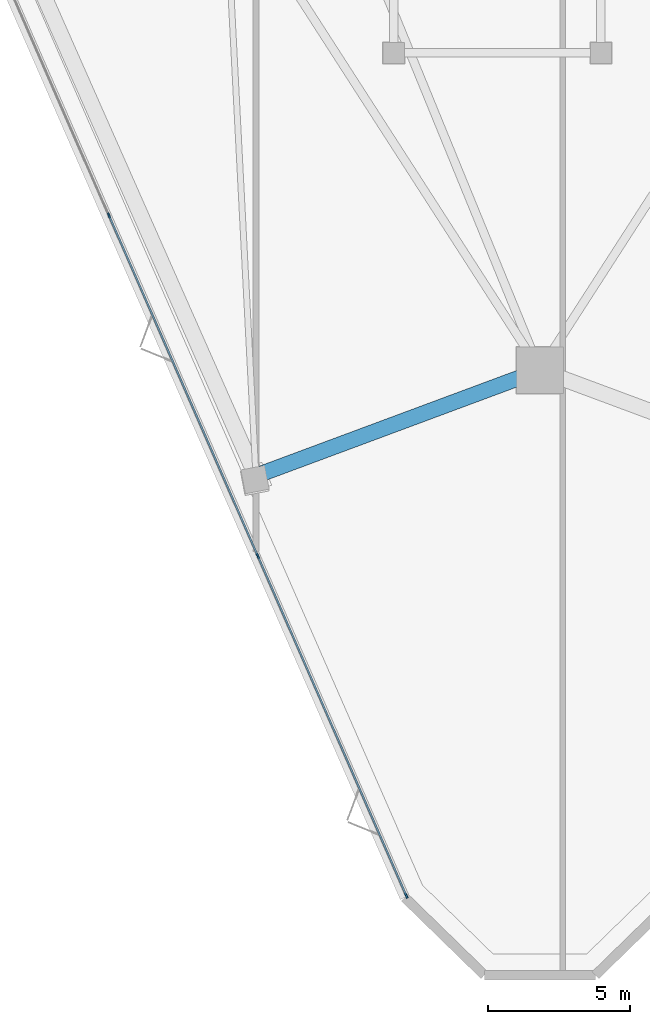
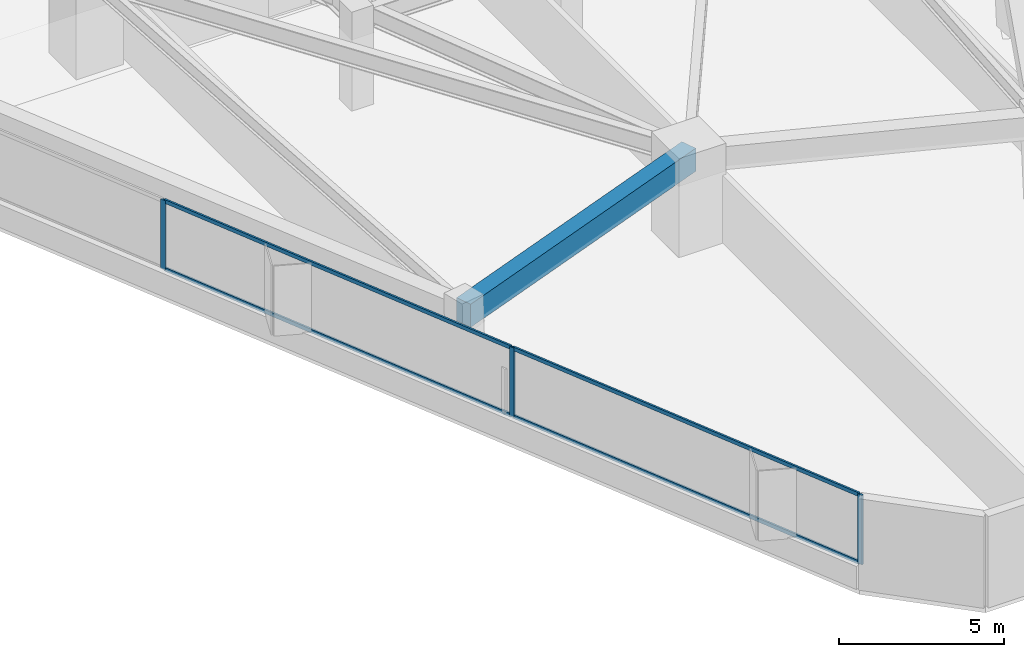
# One storey, part 2 of 18: 7 members, 1 beam, 1 element without a shape of its own.
"""IFC4 building model written with IfcOpenShell, lengths in metres."""

from ifc_helpers import new_model, si_unit, direction, frame, origin, origin_2d, place, context, subcontext, project, spatial, rectangle, extrude, material, layer, layer_set, material_profile, profile_set, type_object, element, aggregate, save


model = new_model("IFC4")

# Units and contexts
model_context = context("Model", 3, precision=1e-05, world=origin(), true_north=direction((0.0, 1.0)))
body_context = subcontext(model_context, "Body", "Model", "MODEL_VIEW")
ifc_project = project(units=[si_unit("LENGTHUNIT", "METRE"), si_unit("AREAUNIT", "SQUARE_METRE"), si_unit("VOLUMEUNIT", "CUBIC_METRE"), si_unit("PLANEANGLEUNIT", "RADIAN"), si_unit("MASSUNIT", "GRAM", prefix="KILO")], contexts=[model_context])

# Site, building, storey
site_placement = place(None, origin())
site = spatial("IfcSite", under=ifc_project, at=site_placement, CompositionType="ELEMENT")
building_placement = place(site_placement, origin())
building = spatial("IfcBuilding", under=site, at=building_placement, Name="Talyreon Biosciences Tower", CompositionType="ELEMENT")
storey_placement = place(building_placement, frame((0.0, 0.0, 89.60009765625)))
storey = spatial("IfcBuildingStorey", under=building, at=storey_placement, Name="L23", CompositionType="ELEMENT", Elevation=89.60009765625)

# Curtain wall, members
ifc_material_1 = material(Name="Thermally broken aluminium and low-E glazing", Category="aluminium")
ifc_layer = layer(ifc_material_1, 0.18994140625)
ifc_layer_set = layer_set([ifc_layer], Name="Thermally broken aluminium and low-E glazing")
curtain_wall_type = type_object("IfcCurtainWallType", Name="CurtainWall_Zone2Genomics", PredefinedType="NOTDEFINED", material=ifc_layer_set)
curtain_wall_placement = place(storey_placement, origin())
curtain_wall = element("IfcCurtainWall", 1, at=curtain_wall_placement, inside=storey, type_object=curtain_wall_type, Name="L23 Unitised Curtain Wall FCW-L23-00", PredefinedType="NOTDEFINED")
ifc_material_2 = material(Name="Anodised thermally broken aluminium", Category="aluminium")
ifc_material_profile_1 = material_profile(ifc_material_2, rectangle(XDim=0.06494140625, YDim=0.179931640625, at=origin_2d()), Name="ALUM MULLION 65x180")
ifc_profile_set_1 = profile_set([ifc_material_profile_1], Name="Anodised thermally broken aluminium")
member_type_1 = type_object("IfcMemberType", Name="CWMullion_65x180", PredefinedType="MULLION", material=ifc_profile_set_1)
member_1_placement = place(storey_placement, frame((61.295654296875, 23.1533203125, 0.809814453125), z_axis=(0.0, 0.0, 1.0), x_axis=(-0.916278218967, -0.400542414041, 0.0)))
member_1 = element("IfcMember", 2, at=member_1_placement, type_object=member_type_1, Name="CW3 mullion 1", PredefinedType="MULLION", context=body_context, shape_type="SweptSolid", body=[
    extrude(rectangle(XDim=0.06494140625, YDim=0.179931640625, at=origin_2d()), origin(), (0.0, 0.0, 1.0), 2.565185546875),
])
member_2_placement = place(storey_placement, frame((56.06494140625, 35.119384765625, 0.809814453125), z_axis=(0.0, 0.0, 1.0), x_axis=(-0.916278218967, -0.400542414041, 0.0)))
member_2 = element("IfcMember", 3, at=member_2_placement, type_object=member_type_1, Name="CW3 mullion 2", PredefinedType="MULLION", context=body_context, shape_type="SweptSolid", body=[
    extrude(rectangle(XDim=0.06494140625, YDim=0.179931640625, at=origin_2d()), origin(), (0.0, 0.0, 1.0), 2.565185546875),
])
member_3_placement = place(storey_placement, frame((50.821044921875, 47.115234375, 0.809814453125), z_axis=(0.0, 0.0, 1.0), x_axis=(-0.916278218967, -0.400542414041, 0.0)))
member_3 = element("IfcMember", 4, at=member_3_placement, type_object=member_type_1, Name="CW3 mullion 3", PredefinedType="MULLION", context=body_context, shape_type="SweptSolid", body=[
    extrude(rectangle(XDim=0.06494140625, YDim=0.179931640625, at=origin_2d()), origin(), (0.0, 0.0, 1.0), 2.565185546875),
])
ifc_material_profile_2 = material_profile(ifc_material_2, rectangle(XDim=0.06494140625, YDim=0.139892578125, at=origin_2d()), Name="ALUM TRANSOM 65x140")
ifc_profile_set_2 = profile_set([ifc_material_profile_2], Name="Anodised thermally broken aluminium")
member_type_2 = type_object("IfcMemberType", Name="CWTransom_65x140", PredefinedType="USERDEFINED", material=ifc_profile_set_2)
member_4_placement = place(storey_placement, frame((61.28271484375, 23.18310546875, 0.84228515625), z_axis=(-0.400543831876, 0.916277599173, 0.0), x_axis=(-0.916277599173, -0.400543831876, 0.0)))
member_4 = element("IfcMember", 5, at=member_4_placement, type_object=member_type_2, Name="CW3 transom 1.1", ObjectType="TRANSOM", PredefinedType="USERDEFINED", context=body_context, shape_type="SweptSolid", body=[
    extrude(rectangle(XDim=0.06494140625, YDim=0.139892578125, at=origin_2d()), origin(), (0.0, 0.0, 1.0), 12.994384765625),
])
member_5_placement = place(storey_placement, frame((61.28271484375, 23.18310546875, 3.34228515625), z_axis=(-0.400543831876, 0.916277599173, 0.0), x_axis=(-0.916277599173, -0.400543831876, 0.0)))
member_5 = element("IfcMember", 6, at=member_5_placement, type_object=member_type_2, Name="CW3 transom 1.2", ObjectType="TRANSOM", PredefinedType="USERDEFINED", context=body_context, shape_type="SweptSolid", body=[
    extrude(rectangle(XDim=0.06494140625, YDim=0.139892578125, at=origin_2d()), origin(), (0.0, 0.0, 1.0), 12.994384765625),
])
member_6_placement = place(storey_placement, frame((56.0517578125, 35.149169921875, 0.84228515625), z_axis=(-0.400538617789, 0.916279878454, 0.0), x_axis=(-0.916279878454, -0.400538617789, 0.0)))
member_6 = element("IfcMember", 7, at=member_6_placement, type_object=member_type_2, Name="CW3 transom 2.1", ObjectType="TRANSOM", PredefinedType="USERDEFINED", context=body_context, shape_type="SweptSolid", body=[
    extrude(rectangle(XDim=0.06494140625, YDim=0.139892578125, at=origin_2d()), origin(), (0.0, 0.0, 1.0), 13.02685546875),
])
member_7_placement = place(storey_placement, frame((56.0517578125, 35.149169921875, 3.34228515625), z_axis=(-0.400538617789, 0.916279878454, 0.0), x_axis=(-0.916279878454, -0.400538617789, 0.0)))
member_7 = element("IfcMember", 8, at=member_7_placement, type_object=member_type_2, Name="CW3 transom 2.2", ObjectType="TRANSOM", PredefinedType="USERDEFINED", context=body_context, shape_type="SweptSolid", body=[
    extrude(rectangle(XDim=0.06494140625, YDim=0.139892578125, at=origin_2d()), origin(), (0.0, 0.0, 1.0), 13.02685546875),
])
aggregate(curtain_wall, [member_1, member_2, member_3, member_4, member_5, member_6, member_7])

# Beam
ifc_material_3 = material(Name="Precast concrete C45/55", Category="concrete")
ifc_material_profile_3 = material_profile(ifc_material_3, rectangle(XDim=0.550048828125, YDim=0.85009765625, at=origin_2d()), Name="RCB 550x850")
ifc_profile_set_3 = profile_set([ifc_material_profile_3], Name="Precast concrete C45/55")
beam_type = type_object("IfcBeamType", Name="ExpressedSpandrel_550x850", PredefinedType="SPANDREL", material=ifc_profile_set_3)
beam_placement = place(storey_placement, frame((55.99658203125, 37.947021484375, 2.949951171875), z_axis=(0.93729016538, 0.348550062232, 0.0), x_axis=(-0.348550062232, 0.93729016538, 0.0)))
element("IfcBeam", 9, at=beam_placement, inside=storey, type_object=beam_type, Name="L23 Expressed Horizontal Concrete Spandrel 12", PredefinedType="SPANDREL", context=body_context, shape_type="SweptSolid", body=[
    extrude(rectangle(XDim=0.550048828125, YDim=0.85009765625, at=origin_2d()), origin(), (0.0, 0.0, 1.0), 10.672607421875),
])

save(model, "model.ifc")
